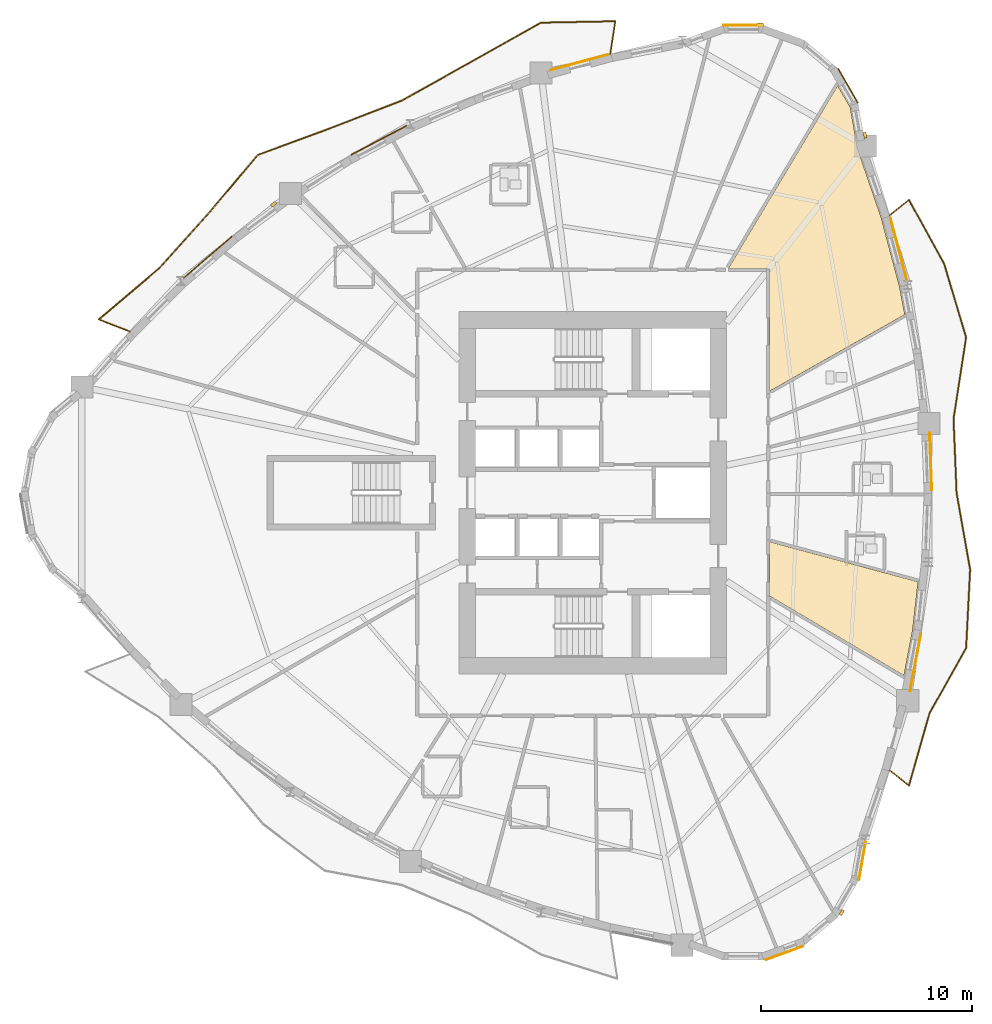
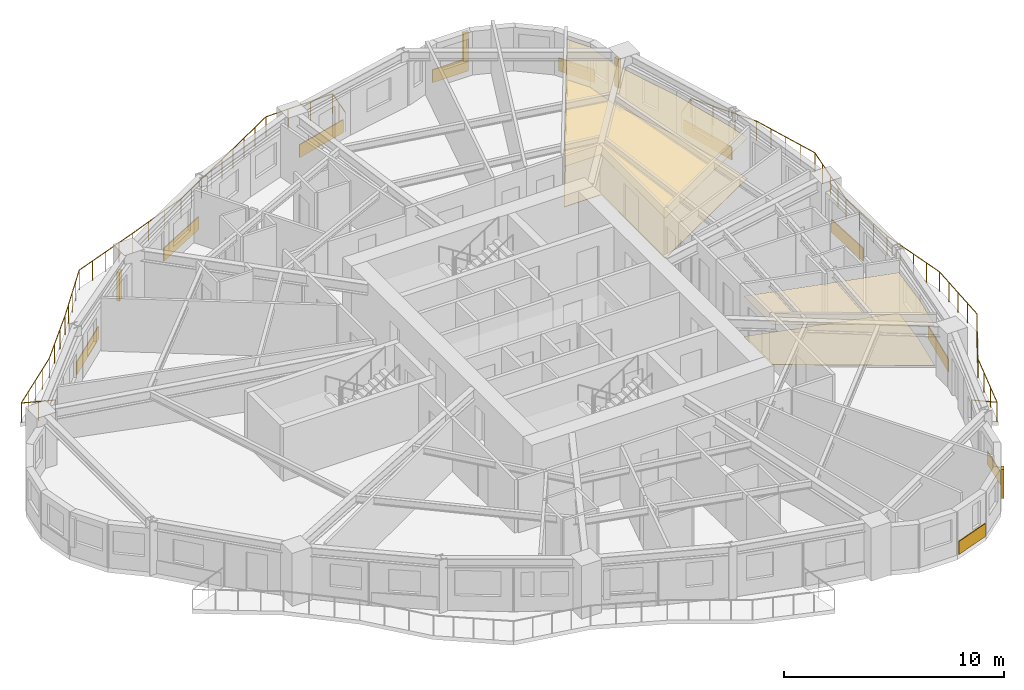
# One storey, part 12 of 13: 14 coverings, 4 shading devices, 2 railings.
"""IFC4 building model written with IfcOpenShell, lengths in metres."""

from ifc_helpers import new_model, si_unit, direction, frame, origin, origin_2d, place, context, subcontext, project, spatial, polyline, rectangle, circle, outline, extrude, source, transform, mapped, material, layer, layer_set, type_object, element, save


model = new_model("IFC4")

# Units and contexts
model_context = context("Model", 3, precision=1e-05, world=origin(), true_north=direction((0.0, 1.0)))
body_context = subcontext(model_context, "Body", "Model", "MODEL_VIEW")
ifc_project = project(units=[si_unit("LENGTHUNIT", "METRE"), si_unit("AREAUNIT", "SQUARE_METRE"), si_unit("VOLUMEUNIT", "CUBIC_METRE"), si_unit("PLANEANGLEUNIT", "RADIAN"), si_unit("MASSUNIT", "GRAM", prefix="KILO")], contexts=[model_context])

# Site, building, storey
site_placement = place(None, origin())
site = spatial("IfcSite", under=ifc_project, at=site_placement, CompositionType="ELEMENT")
building_placement = place(site_placement, origin())
building = spatial("IfcBuilding", under=site, at=building_placement, Name="Qafzar Sky-Pleat Residences", CompositionType="ELEMENT")
storey_placement = place(building_placement, frame((0.0, 0.0, 49.39990234375)))
storey = spatial("IfcBuildingStorey", under=building, at=storey_placement, Name="L14", CompositionType="ELEMENT", Elevation=49.39990234375)

# Coverings
ifc_material_1 = material(Name="Perforated acoustic gypsum board ceiling")
ifc_layer_1 = layer(ifc_material_1, 0.02001953125)
ifc_layer_set_1 = layer_set([ifc_layer_1], Name="Perforated acoustic gypsum board ceiling")
covering_type_1 = type_object("IfcCoveringType", Name="COV-CEIL-ACOUSTIC", PredefinedType="CEILING", material=ifc_layer_set_1)
covering_1_placement = place(storey_placement, frame((0.0, 0.0, 2.239990234375)))
element("IfcCovering", 1, at=covering_1_placement, inside=storey, type_object=covering_type_1, Name="L14 Communal Kitchen Acoustic Ceiling", PredefinedType="CEILING", context=body_context, shape_type="SweptSolid", body=[
    extrude(outline(polyline([(45.517578125, 19.485107421875), (45.10888671875, 17.3330078125), (38.739990234375, 21.10302734375), (38.739990234375, 23.67626953125), (45.779052734375, 21.77880859375), (45.517578125, 19.485107421875)])), origin(), (0.0, 0.0, 1.0), 0.02001953125),
])
covering_2_placement = place(storey_placement, frame((0.0, 0.0, 2.239990234375)))
element("IfcCovering", 2, at=covering_2_placement, inside=storey, type_object=covering_type_1, Name="L14 Co-Living Lounge Acoustic Ceiling", PredefinedType="CEILING", context=body_context, shape_type="SweptSolid", body=[
    extrude(outline(polyline([(42.55859375, 44.281982421875), (42.901611328125, 42.337158203125), (44.031494140625, 39.033447265625), (44.8984375, 35.7734375), (45.14990234375, 34.449951171875), (38.739990234375, 30.820068359375), (38.739990234375, 36.639892578125), (36.781982421875, 36.639892578125), (41.965576171875, 45.30908203125), (42.55859375, 44.281982421875)])), origin(), (0.0, 0.0, 1.0), 0.02001953125),
])
ifc_material_2 = material(Name="Honed porcelain and Riyadh stone tile flooring", Category="masonry")
ifc_layer_2 = layer(ifc_material_2, 0.02001953125)
ifc_layer_set_2 = layer_set([ifc_layer_2], Name="Honed porcelain and Riyadh stone tile flooring")
covering_type_2 = type_object("IfcCoveringType", Name="COV-FLR-PORCELAIN", PredefinedType="FLOORING", material=ifc_layer_set_2)
covering_3_placement = place(storey_placement, origin())
element("IfcCovering", 3, at=covering_3_placement, inside=storey, type_object=covering_type_2, Name="L14 Communal Kitchen Honed Stone Flooring", PredefinedType="FLOORING", context=body_context, shape_type="SweptSolid", body=[
    extrude(outline(polyline([(45.517578125, 19.485107421875), (45.10888671875, 17.3330078125), (38.739990234375, 21.10302734375), (38.739990234375, 23.67626953125), (45.779052734375, 21.77880859375), (45.517578125, 19.485107421875)])), origin(), (0.0, 0.0, 1.0), 0.02001953125),
])
covering_4_placement = place(storey_placement, origin())
element("IfcCovering", 4, at=covering_4_placement, inside=storey, type_object=covering_type_2, Name="L14 Co-Living Lounge Honed Stone Flooring", PredefinedType="FLOORING", context=body_context, shape_type="SweptSolid", body=[
    extrude(outline(polyline([(42.55859375, 44.281982421875), (42.901611328125, 42.337158203125), (44.031494140625, 39.033447265625), (44.8984375, 35.7734375), (45.14990234375, 34.449951171875), (38.739990234375, 30.820068359375), (38.739990234375, 36.639892578125), (36.781982421875, 36.639892578125), (41.965576171875, 45.30908203125), (42.55859375, 44.281982421875)])), origin(), (0.0, 0.0, 1.0), 0.02001953125),
])

# Shading devices
ifc_material_3 = material(Name="Honed Riyadh limestone solar fin", Category="masonry")
ifc_layer_3 = layer(ifc_material_3, 0.139892578125)
ifc_layer_set_3 = layer_set([ifc_layer_3], Name="Honed Riyadh limestone solar fin")
shading_device_type = type_object("IfcShadingDeviceType", Name="SHD-FIN-STONE", PredefinedType="SHUTTER", material=ifc_layer_set_3)
shared_shape_1 = source(origin(), body_context, "Body", "SweptSolid", [
    extrude(rectangle(XDim=0.139892578125, YDim=0.280029296875, at=origin_2d()), origin(), (0.0, 0.0, 1.0), 1.60009765625),
])
for number, where, z_axis, x_axis, name in (
    (5, (42.15576171875, 6.090576171875, 0.60009765625), (0.0, 0.0, 1.0), (0.86603181203, -0.499988900429, 0.0), "L14 Limestone Solar Fin 21"),
    (6, (43.264404296875, 42.956787109375, 0.60009765625), (0.0, 0.0, 1.0), (0.984806040716, 0.173657888303, 0.0), "L14 Limestone Solar Fin 33"),
    (7, (38.294921875, 48.214111328125, 0.60009765625), (0.0, 0.0, 1.0), (0.0, 1.0, 0.0), "L14 Limestone Solar Fin 37"),
    (8, (15.216064453125, 39.688232421875, 0.60009765625), (0.0, 0.0, 1.0), (-0.594881281603, 0.80381357341, 0.0), "L14 Limestone Solar Fin 45"),
):
    element("IfcShadingDevice", number, at=place(storey_placement, frame(where, z_axis=z_axis, x_axis=x_axis)), inside=storey, type_object=shading_device_type, Name=name, PredefinedType="SHUTTER", context=body_context, shape_type="MappedRepresentation", body=[
        mapped(shared_shape_1, transform((0.0, 0.0, 0.0), x_axis=(1.0, 0.0, 0.0), y_axis=(0.0, 1.0, 0.0), z_axis=(0.0, 0.0, 1.0), scale=1.0)),
    ])

# Coverings
ifc_material_4 = material(Name="Honed Riyadh Tuwaiq limestone cladding", Category="masonry")
ifc_layer_4 = layer(ifc_material_4, 0.044921875)
ifc_layer_set_4 = layer_set([ifc_layer_4], Name="Honed Riyadh Tuwaiq limestone cladding")
covering_type_3 = type_object("IfcCoveringType", Name="COV-CLAD-STONE", PredefinedType="CLADDING", material=ifc_layer_set_4)
shared_shape_2 = source(origin(), body_context, "Body", "SweptSolid", [
    extrude(rectangle(XDim=1.88134765625, YDim=0.044921875, at=origin_2d()), origin(), (0.0, 0.0, 1.0), 0.719970703125),
])
covering_5_placement = place(storey_placement, frame((37.489990234375, 48.1708984375, 0.02001953125), z_axis=(0.0, 0.0, 1.0), x_axis=(-1.0, 0.0, 0.0)))
element("IfcCovering", 9, at=covering_5_placement, inside=storey, type_object=covering_type_3, Name="L14 Riyadh Limestone Spandrel Cladding 37", PredefinedType="CLADDING", context=body_context, shape_type="MappedRepresentation", body=[
    mapped(shared_shape_2, transform((0.0, 0.0, 0.0), x_axis=(1.0, 0.0, 0.0), y_axis=(0.0, 1.0, 0.0), z_axis=(0.0, 0.0, 1.0), scale=1.0)),
])
shared_shape_3 = source(origin(), body_context, "Body", "SweptSolid", [
    extrude(rectangle(XDim=1.8291015625, YDim=0.044921875, at=origin_2d()), origin(), (0.0, 0.0, 1.0), 0.719970703125),
])
covering_6_placement = place(storey_placement, frame((43.1318359375, 8.53857421875, 0.02001953125), z_axis=(0.0, 0.0, 1.0), x_axis=(0.17364778674, 0.984807821943, 0.0)))
element("IfcCovering", 10, at=covering_6_placement, inside=storey, type_object=covering_type_3, Name="L14 Riyadh Limestone Spandrel Cladding 22", PredefinedType="CLADDING", context=body_context, shape_type="MappedRepresentation", body=[
    mapped(shared_shape_3, transform((0.0, 0.0, 0.0), x_axis=(1.0, 0.0, 0.0), y_axis=(0.0, 1.0, 0.0), z_axis=(0.0, 0.0, 1.0), scale=1.0)),
])
shared_shape_4 = source(origin(), body_context, "Body", "SweptSolid", [
    extrude(rectangle(XDim=1.881103515625, YDim=0.044921875, at=origin_2d()), origin(), (0.0, 0.0, 1.0), 0.719970703125),
])
for number, where, z_axis, x_axis, name in (
    (11, (39.451171875, 4.1748046875, 0.02001953125), (0.0, 0.0, 1.0), (0.939715179222, 0.34195815817, 0.0), "L14 Riyadh Limestone Spandrel Cladding 19"),
    (12, (42.455810546875, 45.30419921875, 0.02001953125), (0.0, 0.0, 1.0), (-0.499993018474, 0.866029434533, 0.0), "L14 Riyadh Limestone Spandrel Cladding 34"),
):
    element("IfcCovering", number, at=place(storey_placement, frame(where, z_axis=z_axis, x_axis=x_axis)), inside=storey, type_object=covering_type_3, Name=name, PredefinedType="CLADDING", context=body_context, shape_type="MappedRepresentation", body=[
        mapped(shared_shape_4, transform((0.0, 0.0, 0.0), x_axis=(1.0, 0.0, 0.0), y_axis=(0.0, 1.0, 0.0), z_axis=(0.0, 0.0, 1.0), scale=1.0)),
    ])

# Railings
ifc_material_5 = material(Name="Laminated glass and bronze steel balustrade", Category="steel")
railing_type = type_object("IfcRailingType", Name="RAIL-BAL-1100", PredefinedType="BALUSTRADE", material=ifc_material_5)
shared_shape_5 = source(origin(), body_context, "Body", "SweptSolid", [
    extrude(circle(Radius=0.02392578125, at=origin_2d()), frame((0.0, 0.0, 1.076171875), z_axis=(0.780444051674, -0.62522562504, 0.0), x_axis=(0.62522562504, 0.780444051674, 0.0)), (0.0, 0.0, 1.0), 1.177978515625),
    extrude(circle(Radius=0.02392578125, at=origin_2d()), frame((0.91943359375, -0.736572265625, 1.076171875), z_axis=(0.273711786975, 0.961811757919, 0.0), x_axis=(-0.961811757919, 0.273711786975, 0.0)), (0.0, 0.0, 1.0), 3.57861328125),
    extrude(circle(Radius=0.02392578125, at=origin_2d()), frame((1.89892578125, 2.705322265625, 1.076171875), z_axis=(0.489282926907, 0.872125115702, 0.0), x_axis=(-0.872125115702, 0.489282926907, 0.0)), (0.0, 0.0, 1.0), 3.543701171875),
    extrude(circle(Radius=0.02392578125, at=origin_2d()), frame((3.6328125, 5.7958984375, 1.076171875), z_axis=(0.051032139844, 0.998697011462, 0.0), x_axis=(-0.998697011462, 0.051032139844, 0.0)), (0.0, 0.0, 1.0), 3.726806640625),
    extrude(circle(Radius=0.02392578125, at=origin_2d()), frame((3.822998046875, 9.517822265625, 1.076171875), z_axis=(-0.174128247366, 0.984722983112, 0.0), x_axis=(-0.984722983112, -0.174128247366, 0.0)), (0.0, 0.0, 1.0), 3.69580078125),
    extrude(circle(Radius=0.02392578125, at=origin_2d()), frame((3.179443359375, 13.1572265625, 1.076171875), z_axis=(-0.041073628986, 0.999156122436, 0.0), x_axis=(-0.999156122436, -0.041073628986, 0.0)), (0.0, 0.0, 1.0), 3.5009765625),
    extrude(circle(Radius=0.02392578125, at=origin_2d()), frame((3.03564453125, 16.6552734375, 1.076171875), z_axis=(0.152761100583, 0.988263146206, 0.0), x_axis=(-0.988263146206, 0.152761100583, 0.0)), (0.0, 0.0, 1.0), 3.9091796875),
    extrude(circle(Radius=0.02392578125, at=origin_2d()), frame((3.6328125, 20.5185546875, 1.076171875), z_axis=(-0.285568374009, 0.95835833787, 0.0), x_axis=(-0.95835833787, -0.285568374009, 0.0)), (0.0, 0.0, 1.0), 3.638671875),
    extrude(circle(Radius=0.02392578125, at=origin_2d()), frame((2.59375, 24.005615234375, 1.076171875), z_axis=(-0.481773119733, 0.876295989436, 0.0), x_axis=(-0.876295989436, -0.481773119733, 0.0)), (0.0, 0.0, 1.0), 3.475341796875),
    extrude(circle(Radius=0.02392578125, at=origin_2d()), frame((0.91943359375, 27.051025390625, 1.076171875), z_axis=(-0.780444051674, -0.62522562504, 0.0), x_axis=(0.62522562504, -0.780444051674, 0.0)), (0.0, 0.0, 1.0), 1.177978515625),
    extrude(circle(Radius=0.02099609375, at=origin_2d()), origin(), (0.0, 0.0, 1.0), 1.052001953125),
    extrude(circle(Radius=0.02099609375, at=origin_2d()), frame((0.91943359375, -0.736572265625, 0.0)), (0.0, 0.0, 1.0), 1.052001953125),
    extrude(circle(Radius=0.02099609375, at=origin_2d()), frame((1.245849609375, 0.41064453125, 0.0)), (0.0, 0.0, 1.0), 1.052001953125),
    extrude(circle(Radius=0.02099609375, at=origin_2d()), frame((1.572509765625, 1.55810546875, 0.0)), (0.0, 0.0, 1.0), 1.052001953125),
    extrude(circle(Radius=0.02099609375, at=origin_2d()), frame((1.89892578125, 2.705322265625, 0.0)), (0.0, 0.0, 1.0), 1.052001953125),
    extrude(circle(Radius=0.02099609375, at=origin_2d()), frame((2.476806640625, 3.735595703125, 0.0)), (0.0, 0.0, 1.0), 1.052001953125),
    extrude(circle(Radius=0.02099609375, at=origin_2d()), frame((3.054931640625, 4.765625, 0.0)), (0.0, 0.0, 1.0), 1.052001953125),
    extrude(circle(Radius=0.02099609375, at=origin_2d()), frame((3.6328125, 5.7958984375, 0.0)), (0.0, 0.0, 1.0), 1.052001953125),
    extrude(circle(Radius=0.02099609375, at=origin_2d()), frame((3.680419921875, 6.726318359375, 0.0)), (0.0, 0.0, 1.0), 1.052001953125),
    extrude(circle(Radius=0.02099609375, at=origin_2d()), frame((3.72802734375, 7.65673828125, 0.0)), (0.0, 0.0, 1.0), 1.052001953125),
    extrude(circle(Radius=0.02099609375, at=origin_2d()), frame((3.775390625, 8.58740234375, 0.0)), (0.0, 0.0, 1.0), 1.052001953125),
    extrude(circle(Radius=0.02099609375, at=origin_2d()), frame((3.822998046875, 9.517822265625, 0.0)), (0.0, 0.0, 1.0), 1.052001953125),
    extrude(circle(Radius=0.02099609375, at=origin_2d()), frame((3.662109375, 10.427734375, 0.0)), (0.0, 0.0, 1.0), 1.052001953125),
    extrude(circle(Radius=0.02099609375, at=origin_2d()), frame((3.501220703125, 11.33740234375, 0.0)), (0.0, 0.0, 1.0), 1.052001953125),
    extrude(circle(Radius=0.02099609375, at=origin_2d()), frame((3.34033203125, 12.247314453125, 0.0)), (0.0, 0.0, 1.0), 1.052001953125),
    extrude(circle(Radius=0.02099609375, at=origin_2d()), frame((3.179443359375, 13.1572265625, 0.0)), (0.0, 0.0, 1.0), 1.052001953125),
    extrude(circle(Radius=0.02099609375, at=origin_2d()), frame((3.131591796875, 14.3232421875, 0.0)), (0.0, 0.0, 1.0), 1.052001953125),
    extrude(circle(Radius=0.02099609375, at=origin_2d()), frame((3.08349609375, 15.4892578125, 0.0)), (0.0, 0.0, 1.0), 1.052001953125),
    extrude(circle(Radius=0.02099609375, at=origin_2d()), frame((3.03564453125, 16.6552734375, 0.0)), (0.0, 0.0, 1.0), 1.052001953125),
    extrude(circle(Radius=0.02099609375, at=origin_2d()), frame((3.18505859375, 17.62109375, 0.0)), (0.0, 0.0, 1.0), 1.052001953125),
    extrude(circle(Radius=0.02099609375, at=origin_2d()), frame((3.334228515625, 18.5869140625, 0.0)), (0.0, 0.0, 1.0), 1.052001953125),
    extrude(circle(Radius=0.02099609375, at=origin_2d()), frame((3.4833984375, 19.552734375, 0.0)), (0.0, 0.0, 1.0), 1.052001953125),
    extrude(circle(Radius=0.02099609375, at=origin_2d()), frame((3.6328125, 20.5185546875, 0.0)), (0.0, 0.0, 1.0), 1.052001953125),
    extrude(circle(Radius=0.02099609375, at=origin_2d()), frame((3.373046875, 21.390380859375, 0.0)), (0.0, 0.0, 1.0), 1.052001953125),
    extrude(circle(Radius=0.02099609375, at=origin_2d()), frame((3.11328125, 22.26220703125, 0.0)), (0.0, 0.0, 1.0), 1.052001953125),
    extrude(circle(Radius=0.02099609375, at=origin_2d()), frame((2.853515625, 23.1337890625, 0.0)), (0.0, 0.0, 1.0), 1.052001953125),
    extrude(circle(Radius=0.02099609375, at=origin_2d()), frame((2.59375, 24.005615234375, 0.0)), (0.0, 0.0, 1.0), 1.052001953125),
    extrude(circle(Radius=0.02099609375, at=origin_2d()), frame((2.03564453125, 25.020751953125, 0.0)), (0.0, 0.0, 1.0), 1.052001953125),
    extrude(circle(Radius=0.02099609375, at=origin_2d()), frame((1.4775390625, 26.035888671875, 0.0)), (0.0, 0.0, 1.0), 1.052001953125),
    extrude(circle(Radius=0.02099609375, at=origin_2d()), frame((0.91943359375, 27.051025390625, 0.0)), (0.0, 0.0, 1.0), 1.052001953125),
    extrude(circle(Radius=0.02099609375, at=origin_2d()), frame((0.0, 26.314453125, 0.0)), (0.0, 0.0, 1.0), 1.052001953125),
])
railing_1_placement = place(storey_placement, frame((44.423583984375, 12.8427734375, 0.0)))
element("IfcRailing", 13, at=railing_1_placement, inside=storey, type_object=railing_type, Name="L14 Pleated Balcony 1 Balustrade", PredefinedType="BALUSTRADE", context=body_context, shape_type="MappedRepresentation", body=[
    mapped(shared_shape_5, transform((0.0, 0.0, 0.0), x_axis=(1.0, 0.0, 0.0), y_axis=(0.0, 1.0, 0.0), z_axis=(0.0, 0.0, 1.0), scale=1.0)),
])
shared_shape_6 = source(origin(), body_context, "Body", "SweptSolid", [
    extrude(circle(Radius=0.02392578125, at=origin_2d()), frame((0.0, 0.0, 1.076171875), z_axis=(0.151161889621, 0.988509020255, 0.0), x_axis=(-0.988509020255, 0.151161889621, 0.0)), (0.0, 0.0, 1.0), 1.577880859375),
    extrude(circle(Radius=0.02392578125, at=origin_2d()), frame((0.238525390625, 1.559814453125, 1.076171875), z_axis=(-0.999814603854, -0.019255075204, 0.0), x_axis=(0.019255075204, -0.999814603854, 0.0)), (0.0, 0.0, 1.0), 3.53759765625),
    extrude(circle(Radius=0.02392578125, at=origin_2d()), frame((-3.29833984375, 1.49169921875, 1.076171875), z_axis=(-0.871221394465, -0.490890295103, 0.0), x_axis=(0.490890295103, -0.871221394465, 0.0)), (0.0, 0.0, 1.0), 3.924072265625),
    extrude(circle(Radius=0.02392578125, at=origin_2d()), frame((-6.717041015625, -0.4345703125, 1.076171875), z_axis=(-0.873310982182, -0.487163143515, 0.0), x_axis=(0.487163143515, -0.873310982182, 0.0)), (0.0, 0.0, 1.0), 3.625244140625),
    extrude(circle(Radius=0.02392578125, at=origin_2d()), frame((-9.883056640625, -2.20068359375, 1.076171875), z_axis=(-0.932520155536, -0.361117930211, 0.0), x_axis=(0.361117930211, -0.932520155536, 0.0)), (0.0, 0.0, 1.0), 3.539794921875),
    extrude(circle(Radius=0.02392578125, at=origin_2d()), frame((-13.18408203125, -3.47900390625, 1.076171875), z_axis=(-0.93819466472, -0.346108033843, 0.0), x_axis=(0.346108033843, -0.93819466472, 0.0)), (0.0, 0.0, 1.0), 3.7646484375),
    extrude(circle(Radius=0.02392578125, at=origin_2d()), frame((-16.716064453125, -4.781982421875, 1.076171875), z_axis=(-0.64428490809, -0.764785562892, 0.0), x_axis=(0.764785562892, -0.64428490809, 0.0)), (0.0, 0.0, 1.0), 3.628662109375),
    extrude(circle(Radius=0.02392578125, at=origin_2d()), frame((-19.053955078125, -7.55712890625, 1.076171875), z_axis=(-0.668745122313, -0.743491735921, 0.0), x_axis=(0.743491735921, -0.668745122313, 0.0)), (0.0, 0.0, 1.0), 3.50146484375),
    extrude(circle(Radius=0.02392578125, at=origin_2d()), frame((-21.3955078125, -10.160400390625, 1.076171875), z_axis=(-0.763334446989, -0.646003500022, 0.0), x_axis=(0.646003500022, -0.763334446989, 0.0)), (0.0, 0.0, 1.0), 3.751708984375),
    extrude(circle(Radius=0.02392578125, at=origin_2d()), frame((-24.25927734375, -12.583984375, 1.076171875), z_axis=(0.931684927862, -0.363267388014, 0.0), x_axis=(0.363267388014, 0.931684927862, 0.0)), (0.0, 0.0, 1.0), 1.578125),
    extrude(circle(Radius=0.02099609375, at=origin_2d()), origin(), (0.0, 0.0, 1.0), 1.052001953125),
    extrude(circle(Radius=0.02099609375, at=origin_2d()), frame((0.119140625, 0.77978515625, 0.0)), (0.0, 0.0, 1.0), 1.052001953125),
    extrude(circle(Radius=0.02099609375, at=origin_2d()), frame((0.238525390625, 1.559814453125, 0.0)), (0.0, 0.0, 1.0), 1.052001953125),
    extrude(circle(Radius=0.02099609375, at=origin_2d()), frame((-0.9404296875, 1.537109375, 0.0)), (0.0, 0.0, 1.0), 1.052001953125),
    extrude(circle(Radius=0.02099609375, at=origin_2d()), frame((-2.119384765625, 1.514404296875, 0.0)), (0.0, 0.0, 1.0), 1.052001953125),
    extrude(circle(Radius=0.02099609375, at=origin_2d()), frame((-3.29833984375, 1.49169921875, 0.0)), (0.0, 0.0, 1.0), 1.052001953125),
    extrude(circle(Radius=0.02099609375, at=origin_2d()), frame((-4.153076171875, 1.01025390625, 0.0)), (0.0, 0.0, 1.0), 1.052001953125),
    extrude(circle(Radius=0.02099609375, at=origin_2d()), frame((-5.0078125, 0.528564453125, 0.0)), (0.0, 0.0, 1.0), 1.052001953125),
    extrude(circle(Radius=0.02099609375, at=origin_2d()), frame((-5.8623046875, 0.046875, 0.0)), (0.0, 0.0, 1.0), 1.052001953125),
    extrude(circle(Radius=0.02099609375, at=origin_2d()), frame((-6.717041015625, -0.4345703125, 0.0)), (0.0, 0.0, 1.0), 1.052001953125),
    extrude(circle(Radius=0.02099609375, at=origin_2d()), frame((-7.508544921875, -0.8759765625, 0.0)), (0.0, 0.0, 1.0), 1.052001953125),
    extrude(circle(Radius=0.02099609375, at=origin_2d()), frame((-8.300048828125, -1.317626953125, 0.0)), (0.0, 0.0, 1.0), 1.052001953125),
    extrude(circle(Radius=0.02099609375, at=origin_2d()), frame((-9.091552734375, -1.75927734375, 0.0)), (0.0, 0.0, 1.0), 1.052001953125),
    extrude(circle(Radius=0.02099609375, at=origin_2d()), frame((-9.883056640625, -2.20068359375, 0.0)), (0.0, 0.0, 1.0), 1.052001953125),
    extrude(circle(Radius=0.02099609375, at=origin_2d()), frame((-10.9833984375, -2.626708984375, 0.0)), (0.0, 0.0, 1.0), 1.052001953125),
    extrude(circle(Radius=0.02099609375, at=origin_2d()), frame((-12.083740234375, -3.052978515625, 0.0)), (0.0, 0.0, 1.0), 1.052001953125),
    extrude(circle(Radius=0.02099609375, at=origin_2d()), frame((-13.18408203125, -3.47900390625, 0.0)), (0.0, 0.0, 1.0), 1.052001953125),
    extrude(circle(Radius=0.02099609375, at=origin_2d()), frame((-14.067138671875, -3.8046875, 0.0)), (0.0, 0.0, 1.0), 1.052001953125),
    extrude(circle(Radius=0.02099609375, at=origin_2d()), frame((-14.9501953125, -4.13037109375, 0.0)), (0.0, 0.0, 1.0), 1.052001953125),
    extrude(circle(Radius=0.02099609375, at=origin_2d()), frame((-15.8330078125, -4.456298828125, 0.0)), (0.0, 0.0, 1.0), 1.052001953125),
    extrude(circle(Radius=0.02099609375, at=origin_2d()), frame((-16.716064453125, -4.781982421875, 0.0)), (0.0, 0.0, 1.0), 1.052001953125),
    extrude(circle(Radius=0.02099609375, at=origin_2d()), frame((-17.300537109375, -5.475830078125, 0.0)), (0.0, 0.0, 1.0), 1.052001953125),
    extrude(circle(Radius=0.02099609375, at=origin_2d()), frame((-17.885009765625, -6.16943359375, 0.0)), (0.0, 0.0, 1.0), 1.052001953125),
    extrude(circle(Radius=0.02099609375, at=origin_2d()), frame((-18.469482421875, -6.86328125, 0.0)), (0.0, 0.0, 1.0), 1.052001953125),
    extrude(circle(Radius=0.02099609375, at=origin_2d()), frame((-19.053955078125, -7.55712890625, 0.0)), (0.0, 0.0, 1.0), 1.052001953125),
    extrude(circle(Radius=0.02099609375, at=origin_2d()), frame((-19.83447265625, -8.4248046875, 0.0)), (0.0, 0.0, 1.0), 1.052001953125),
    extrude(circle(Radius=0.02099609375, at=origin_2d()), frame((-20.614990234375, -9.292724609375, 0.0)), (0.0, 0.0, 1.0), 1.052001953125),
    extrude(circle(Radius=0.02099609375, at=origin_2d()), frame((-21.3955078125, -10.160400390625, 0.0)), (0.0, 0.0, 1.0), 1.052001953125),
    extrude(circle(Radius=0.02099609375, at=origin_2d()), frame((-22.111328125, -10.766357421875, 0.0)), (0.0, 0.0, 1.0), 1.052001953125),
    extrude(circle(Radius=0.02099609375, at=origin_2d()), frame((-22.827392578125, -11.3720703125, 0.0)), (0.0, 0.0, 1.0), 1.052001953125),
    extrude(circle(Radius=0.02099609375, at=origin_2d()), frame((-23.54345703125, -11.97802734375, 0.0)), (0.0, 0.0, 1.0), 1.052001953125),
    extrude(circle(Radius=0.02099609375, at=origin_2d()), frame((-24.25927734375, -12.583984375, 0.0)), (0.0, 0.0, 1.0), 1.052001953125),
    extrude(circle(Radius=0.02099609375, at=origin_2d()), frame((-23.524169921875, -12.87060546875, 0.0)), (0.0, 0.0, 1.0), 1.052001953125),
    extrude(circle(Radius=0.02099609375, at=origin_2d()), frame((-22.7890625, -13.1572265625, 0.0)), (0.0, 0.0, 1.0), 1.052001953125),
])
railing_2_placement = place(storey_placement, frame((31.1826171875, 46.802001953125, 0.0)))
element("IfcRailing", 14, at=railing_2_placement, inside=storey, type_object=railing_type, Name="L14 Pleated Balcony 2 Balustrade", PredefinedType="BALUSTRADE", context=body_context, shape_type="MappedRepresentation", body=[
    mapped(shared_shape_6, transform((0.0, 0.0, 0.0), x_axis=(1.0, 0.0, 0.0), y_axis=(0.0, 1.0, 0.0), z_axis=(0.0, 0.0, 1.0), scale=1.0)),
])

# Coverings
shared_shape_7 = source(origin(), body_context, "Body", "SweptSolid", [
    extrude(rectangle(XDim=2.77587890625, YDim=0.044921875, at=origin_2d()), origin(), (0.0, 0.0, 1.0), 0.719970703125),
])
covering_7_placement = place(storey_placement, frame((45.654296875, 17.943359375, 0.02001953125), z_axis=(0.0, 0.0, 1.0), x_axis=(0.186660645817, 0.982424451703, 0.0)))
element("IfcCovering", 15, at=covering_7_placement, inside=storey, type_object=covering_type_3, Name="L14 Riyadh Limestone Spandrel Cladding 25", PredefinedType="CLADDING", context=body_context, shape_type="MappedRepresentation", body=[
    mapped(shared_shape_7, transform((0.0, 0.0, 0.0), x_axis=(1.0, 0.0, 0.0), y_axis=(0.0, 1.0, 0.0), z_axis=(0.0, 0.0, 1.0), scale=1.0)),
])
shared_shape_8 = source(origin(), body_context, "Body", "SweptSolid", [
    extrude(rectangle(XDim=2.72509765625, YDim=0.044921875, at=origin_2d()), origin(), (0.0, 0.0, 1.0), 0.719970703125),
])
covering_8_placement = place(storey_placement, frame((46.37890625, 27.4755859375, 0.02001953125), z_axis=(0.0, 0.0, 1.0), x_axis=(-0.038014543919, 0.999277185995, 0.0)))
element("IfcCovering", 16, at=covering_8_placement, inside=storey, type_object=covering_type_3, Name="L14 Riyadh Limestone Spandrel Cladding 28", PredefinedType="CLADDING", context=body_context, shape_type="MappedRepresentation", body=[
    mapped(shared_shape_8, transform((0.0, 0.0, 0.0), x_axis=(1.0, 0.0, 0.0), y_axis=(0.0, 1.0, 0.0), z_axis=(0.0, 0.0, 1.0), scale=1.0)),
])
shared_shape_9 = source(origin(), body_context, "Body", "SweptSolid", [
    extrude(rectangle(XDim=3.077880859375, YDim=0.044921875, at=origin_2d()), origin(), (0.0, 0.0, 1.0), 0.719970703125),
])
covering_9_placement = place(storey_placement, frame((44.865234375, 37.53955078125, 0.02001953125), z_axis=(0.0, 0.0, 1.0), x_axis=(-0.257067445738, 0.966393464559, 0.0)))
element("IfcCovering", 17, at=covering_9_placement, inside=storey, type_object=covering_type_3, Name="L14 Riyadh Limestone Spandrel Cladding 31", PredefinedType="CLADDING", context=body_context, shape_type="MappedRepresentation", body=[
    mapped(shared_shape_9, transform((0.0, 0.0, 0.0), x_axis=(1.0, 0.0, 0.0), y_axis=(0.0, 1.0, 0.0), z_axis=(0.0, 0.0, 1.0), scale=1.0)),
])
shared_shape_10 = source(origin(), body_context, "Body", "SweptSolid", [
    extrude(rectangle(XDim=2.82568359375, YDim=0.044921875, at=origin_2d()), origin(), (0.0, 0.0, 1.0), 0.719970703125),
])
covering_10_placement = place(storey_placement, frame((29.696044921875, 46.412109375, 0.02001953125), z_axis=(0.0, 0.0, 1.0), x_axis=(-0.965457209918, -0.260561654542, 0.0)))
element("IfcCovering", 18, at=covering_10_placement, inside=storey, type_object=covering_type_3, Name="L14 Riyadh Limestone Spandrel Cladding 40", PredefinedType="CLADDING", context=body_context, shape_type="MappedRepresentation", body=[
    mapped(shared_shape_10, transform((0.0, 0.0, 0.0), x_axis=(1.0, 0.0, 0.0), y_axis=(0.0, 1.0, 0.0), z_axis=(0.0, 0.0, 1.0), scale=1.0)),
])
shared_shape_11 = source(origin(), body_context, "Body", "SweptSolid", [
    extrude(rectangle(XDim=2.97705078125, YDim=0.044921875, at=origin_2d()), origin(), (0.0, 0.0, 1.0), 0.719970703125),
])
covering_11_placement = place(storey_placement, frame((20.21240234375, 42.719970703125, 0.02001953125), z_axis=(0.0, 0.0, 1.0), x_axis=(-0.884385792818, -0.466756649082, 0.0)))
element("IfcCovering", 19, at=covering_11_placement, inside=storey, type_object=covering_type_3, Name="L14 Riyadh Limestone Spandrel Cladding 43", PredefinedType="CLADDING", context=body_context, shape_type="MappedRepresentation", body=[
    mapped(shared_shape_11, transform((0.0, 0.0, 0.0), x_axis=(1.0, 0.0, 0.0), y_axis=(0.0, 1.0, 0.0), z_axis=(0.0, 0.0, 1.0), scale=1.0)),
])
shared_shape_12 = source(origin(), body_context, "Body", "SweptSolid", [
    extrude(rectangle(XDim=3.02783203125, YDim=0.044921875, at=origin_2d()), origin(), (0.0, 0.0, 1.0), 0.719970703125),
])
covering_12_placement = place(storey_placement, frame((12.089599609375, 37.169189453125, 0.02001953125), z_axis=(0.0, 0.0, 1.0), x_axis=(-0.757484979043, -0.652852591727, 0.0)))
element("IfcCovering", 20, at=covering_12_placement, inside=storey, type_object=covering_type_3, Name="L14 Riyadh Limestone Spandrel Cladding 46", PredefinedType="CLADDING", context=body_context, shape_type="MappedRepresentation", body=[
    mapped(shared_shape_12, transform((0.0, 0.0, 0.0), x_axis=(1.0, 0.0, 0.0), y_axis=(0.0, 1.0, 0.0), z_axis=(0.0, 0.0, 1.0), scale=1.0)),
])

save(model, "model.ifc")
